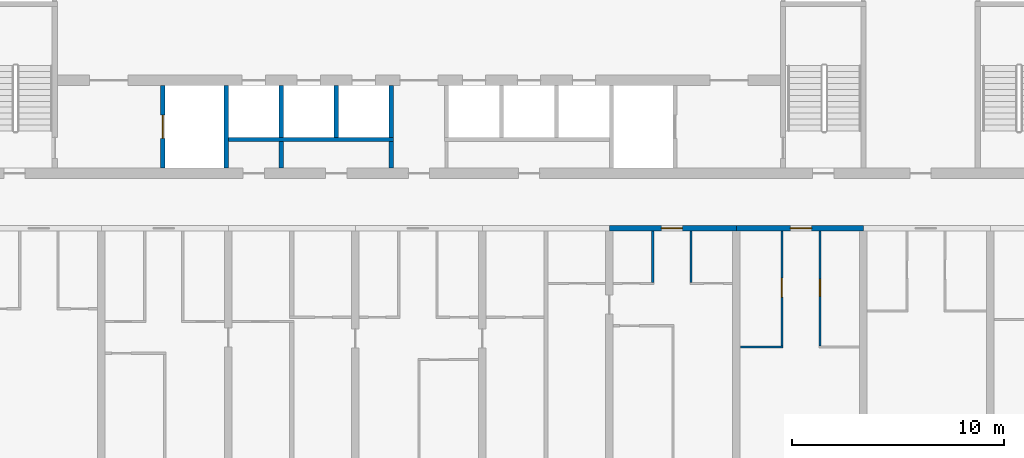
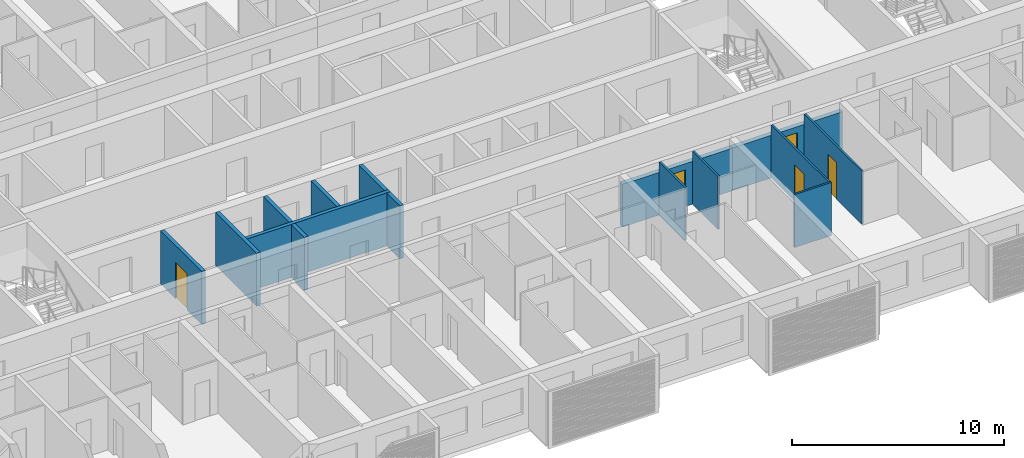
# One storey, part 6 of 30: 15 walls, 5 doors, 5 openings.
"""IFC4 building model written with IfcOpenShell, lengths in metres."""

from ifc_helpers import new_model, si_unit, direction, frame, frame_2d, origin, place, context, subcontext, project, spatial, rectangle, extrude, material, layer, layer_set, type_object, element, fill, save


model = new_model("IFC4")

# Units and contexts
model_context = context("Model", 3, precision=1e-05, world=origin(), true_north=direction((0.0, 1.0)))
body_context = subcontext(model_context, "Body", "Model", "MODEL_VIEW")
ifc_project = project(units=[si_unit("LENGTHUNIT", "METRE"), si_unit("AREAUNIT", "SQUARE_METRE"), si_unit("VOLUMEUNIT", "CUBIC_METRE"), si_unit("PLANEANGLEUNIT", "RADIAN"), si_unit("MASSUNIT", "GRAM", prefix="KILO")], contexts=[model_context])

# Site, building, storey
site_placement = place(None, origin())
site = spatial("IfcSite", under=ifc_project, at=site_placement, CompositionType="ELEMENT")
building_placement = place(site_placement, origin())
building = spatial("IfcBuilding", under=site, at=building_placement, Name="Poui Terraces", CompositionType="ELEMENT")
storey_placement = place(building_placement, frame((0.0, 0.0, 99.300048828125)))
storey = spatial("IfcBuildingStorey", under=building, at=storey_placement, Name="L27", CompositionType="ELEMENT", Elevation=99.300048828125)

# Wall, opening, door
ifc_material_1 = material(Name="Concrete 65 MPa", Category="concrete")
ifc_layer_1 = layer(ifc_material_1, 0.25)
ifc_layer_set_1 = layer_set([ifc_layer_1], Name="Concrete 65 MPa")
wall_type_1 = type_object("IfcWallType", Name="CORRIDOR WALL 250 65MPa", PredefinedType="SHEAR", material=ifc_layer_set_1)
wall_1_placement = place(storey_placement, frame((60.0, 12.0, 0.0), z_axis=(0.0, 0.0, 1.0), x_axis=(1.0, 0.0, 0.0)))
wall_1 = element("IfcWall", 1, at=wall_1_placement, inside=storey, type_object=wall_type_1, Name="CORRIDOR WALL LINE B BAY 10", PredefinedType="SHEAR", context=body_context, shape_type="SweptSolid", body=[
    extrude(rectangle(XDim=6.0, YDim=0.25, at=frame_2d((3.0, 0.0))), origin(), (0.0, 0.0, 1.0), 2.4599609375),
])
opening_1_placement = place(wall_1_placement, frame((2.449951171875, 0.0, 0.0)))
opening_1 = element("IfcOpeningElement", 2, at=opening_1_placement, cuts=wall_1, Name="Opening FD30S", PredefinedType="OPENING", context=body_context, shape_type="SweptSolid", body=[
    extrude(rectangle(XDim=1.0, YDim=2.10009765625, at=frame_2d((0.5, 1.050048828125))), frame((0.0, 0.135009765625, 0.0), z_axis=(0.0, -1.0, 0.0), x_axis=(1.0, 0.0, 0.0)), (0.0, 0.0, 1.0), 0.27001953125),
])
ifc_material_2 = material(Name="Steel fire door", Category="steel")
door_type_1 = type_object("IfcDoorType", Name="FLAT ENTRANCE DOOR 1000 X 2100", OperationType="NOTDEFINED", PredefinedType="DOOR", material=ifc_material_2)
door_1_placement = place(opening_1_placement, frame((1.0, 0.0, 0.0), z_axis=(0.0, 0.0, 1.0), x_axis=(-1.0, 0.0, 0.0)))
door_1 = element("IfcDoor", 3, at=door_1_placement, inside=storey, type_object=door_type_1, Name="FLAT ENTRANCE DOOR 116", OperationType="SINGLE_SWING_RIGHT", OverallHeight=2.10009765625, OverallWidth=1.0, PredefinedType="DOOR", context=body_context, shape_type="SweptSolid", body=[
    extrude(rectangle(XDim=1.0, YDim=2.10009765625, at=frame_2d((0.5, 1.050048828125))), frame((0.0, 0.02490234375, 0.0), z_axis=(0.0, -1.0, 0.0), x_axis=(1.0, 0.0, 0.0)), (0.0, 0.0, 1.0), 0.050048828125),
])
fill(opening_1, door_1)

wall_2_placement = place(storey_placement, frame((66.0, 12.0, 0.0), z_axis=(0.0, 0.0, 1.0), x_axis=(1.0, 0.0, 0.0)))
wall_2 = element("IfcWall", 4, at=wall_2_placement, inside=storey, type_object=wall_type_1, Name="CORRIDOR WALL LINE B BAY 11", PredefinedType="SHEAR", context=body_context, shape_type="SweptSolid", body=[
    extrude(rectangle(XDim=6.0, YDim=0.25, at=frame_2d((3.0, 0.0))), origin(), (0.0, 0.0, 1.0), 2.4599609375),
])
opening_2_placement = place(wall_2_placement, frame((2.550048828125, 0.0, 0.0)))
opening_2 = element("IfcOpeningElement", 5, at=opening_2_placement, cuts=wall_2, Name="Opening FD30S", PredefinedType="OPENING", context=body_context, shape_type="SweptSolid", body=[
    extrude(rectangle(XDim=1.0, YDim=2.10009765625, at=frame_2d((0.5, 1.050048828125))), frame((0.0, 0.135009765625, 0.0), z_axis=(0.0, -1.0, 0.0), x_axis=(1.0, 0.0, 0.0)), (0.0, 0.0, 1.0), 0.27001953125),
])
door_2_placement = place(opening_2_placement, frame((1.0, 0.0, 0.0), z_axis=(0.0, 0.0, 1.0), x_axis=(-1.0, 0.0, 0.0)))
door_2 = element("IfcDoor", 6, at=door_2_placement, inside=storey, type_object=door_type_1, Name="FLAT ENTRANCE DOOR 119", OperationType="SINGLE_SWING_LEFT", OverallHeight=2.10009765625, OverallWidth=1.0, PredefinedType="DOOR", context=body_context, shape_type="SweptSolid", body=[
    extrude(rectangle(XDim=1.0, YDim=2.10009765625, at=frame_2d((0.5, 1.050048828125))), frame((0.0, 0.02490234375, 0.0), z_axis=(0.0, -1.0, 0.0), x_axis=(1.0, 0.0, 0.0)), (0.0, 0.0, 1.0), 0.050048828125),
])
fill(opening_2, door_2)

# Walls
ifc_material_3 = material(Name="Plasterboard partition")
ifc_layer_2 = layer(ifc_material_3, 0.10009765625)
ifc_layer_set_2 = layer_set([ifc_layer_2], Name="Plasterboard partition")
wall_type_2 = type_object("IfcWallType", Name="FLAT PARTITION 100", PredefinedType="PARTITIONING", material=ifc_layer_set_2)
wall_3_placement = place(storey_placement, frame((66.18505859375, 6.39990234375, 0.0), z_axis=(0.0, 0.0, 1.0), x_axis=(1.0, 0.0, 0.0)))
element("IfcWall", 7, at=wall_3_placement, inside=storey, type_object=wall_type_2, Name="FLAT PARTITION 100", PredefinedType="PARTITIONING", context=body_context, shape_type="SweptSolid", body=[
    extrude(rectangle(XDim=2.014892578125, YDim=0.10009765625, at=frame_2d((1.00732421875, 0.0))), origin(), (0.0, 0.0, 1.0), 3.06005859375),
])
for number, where, z_axis, x_axis, name in (
    (8, (62.050048828125, 9.449951171875, 0.0), (0.0, 0.0, 1.0), (0.0, 1.0, 0.0), "FLAT PARTITION 100"),
    (9, (63.85009765625, 9.449951171875, 0.0), (0.0, 0.0, 1.0), (0.0, 1.0, 0.0), "FLAT PARTITION 100"),
):
    element("IfcWall", number, at=place(storey_placement, frame(where, z_axis=z_axis, x_axis=x_axis)), inside=storey, type_object=wall_type_2, Name=name, PredefinedType="PARTITIONING", context=body_context, shape_type="SweptSolid", body=[
        extrude(rectangle(XDim=2.4150390625, YDim=0.10009765625, at=frame_2d((1.20751953125, 0.0))), origin(), (0.0, 0.0, 1.0), 3.06005859375),
    ])

# Wall, opening, door
wall_4_placement = place(storey_placement, frame((68.14990234375, 6.449951171875, 0.0), z_axis=(0.0, 0.0, 1.0), x_axis=(0.0, 1.0, 0.0)))
wall_4 = element("IfcWall", 10, at=wall_4_placement, inside=storey, type_object=wall_type_2, Name="FLAT PARTITION 100", PredefinedType="PARTITIONING", context=body_context, shape_type="SweptSolid", body=[
    extrude(rectangle(XDim=5.4150390625, YDim=0.10009765625, at=frame_2d((2.70751953125, 0.0))), origin(), (0.0, 0.0, 1.0), 3.06005859375),
])
opening_3_placement = place(wall_4_placement, frame((2.300048828125, 0.0, 0.0)))
opening_3 = element("IfcOpeningElement", 11, at=opening_3_placement, cuts=wall_4, Name="Opening D90", PredefinedType="OPENING", context=body_context, shape_type="SweptSolid", body=[
    extrude(rectangle(XDim=0.89990234375, YDim=2.10009765625, at=frame_2d((0.449951171875, 1.050048828125))), frame((0.0, 0.06005859375, 0.0), z_axis=(0.0, -1.0, 0.0), x_axis=(1.0, 0.0, 0.0)), (0.0, 0.0, 1.0), 0.1201171875),
])
ifc_material_4 = material(Name="Solid core timber door", Category="wood")
door_type_2 = type_object("IfcDoorType", Name="INTERNAL DOOR 900 X 2100", OperationType="NOTDEFINED", PredefinedType="DOOR", material=ifc_material_4)
door_3_placement = place(opening_3_placement, origin())
door_3 = element("IfcDoor", 12, at=door_3_placement, inside=storey, type_object=door_type_2, Name="INTERNAL DOOR 118", OperationType="SINGLE_SWING_LEFT", OverallHeight=2.10009765625, OverallWidth=0.89990234375, PredefinedType="DOOR", context=body_context, shape_type="SweptSolid", body=[
    extrude(rectangle(XDim=0.89990234375, YDim=2.10009765625, at=frame_2d((0.449951171875, 1.050048828125))), frame((0.0, 0.02490234375, 0.0), z_axis=(0.0, -1.0, 0.0), x_axis=(1.0, 0.0, 0.0)), (0.0, 0.0, 1.0), 0.050048828125),
])
fill(opening_3, door_3)

wall_5_placement = place(storey_placement, frame((69.949951171875, 6.449951171875, 0.0), z_axis=(0.0, 0.0, 1.0), x_axis=(0.0, 1.0, 0.0)))
wall_5 = element("IfcWall", 13, at=wall_5_placement, inside=storey, type_object=wall_type_2, Name="FLAT PARTITION 100", PredefinedType="PARTITIONING", context=body_context, shape_type="SweptSolid", body=[
    extrude(rectangle(XDim=5.4150390625, YDim=0.10009765625, at=frame_2d((2.70751953125, 0.0))), origin(), (0.0, 0.0, 1.0), 3.06005859375),
])
opening_4_placement = place(wall_5_placement, frame((2.35009765625, 0.0, 0.0)))
opening_4 = element("IfcOpeningElement", 14, at=opening_4_placement, cuts=wall_5, Name="Opening D80", PredefinedType="OPENING", context=body_context, shape_type="SweptSolid", body=[
    extrude(rectangle(XDim=0.800048828125, YDim=2.10009765625, at=frame_2d((0.39990234375, 1.050048828125))), frame((0.0, 0.06005859375, 0.0), z_axis=(0.0, -1.0, 0.0), x_axis=(1.0, 0.0, 0.0)), (0.0, 0.0, 1.0), 0.1201171875),
])
door_type_3 = type_object("IfcDoorType", Name="BATHROOM, LAUNDRY AND STORE DOOR 800 X 2100", OperationType="NOTDEFINED", PredefinedType="DOOR", material=ifc_material_4)
door_4_placement = place(opening_4_placement, frame((0.800048828125, 0.0, 0.0), z_axis=(0.0, 0.0, 1.0), x_axis=(-1.0, 0.0, 0.0)))
door_4 = element("IfcDoor", 15, at=door_4_placement, inside=storey, type_object=door_type_3, Name="BATHROOM, LAUNDRY AND STORE DOOR 120", OperationType="SINGLE_SWING_LEFT", OverallHeight=2.10009765625, OverallWidth=0.800048828125, PredefinedType="DOOR", context=body_context, shape_type="SweptSolid", body=[
    extrude(rectangle(XDim=0.800048828125, YDim=2.10009765625, at=frame_2d((0.39990234375, 1.050048828125))), frame((0.0, 0.02490234375, 0.0), z_axis=(0.0, -1.0, 0.0), x_axis=(1.0, 0.0, 0.0)), (0.0, 0.0, 1.0), 0.050048828125),
])
fill(opening_4, door_4)

# Walls
ifc_material_5 = material(Name="Fire-rated masonry wall", Category="masonry")
ifc_layer_3 = layer(ifc_material_5, 0.199951171875)
ifc_layer_set_3 = layer_set([ifc_layer_3], Name="Fire-rated masonry wall")
wall_type_3 = type_object("IfcWallType", Name="PLANT ROOM WALL 200", PredefinedType="PARTITIONING", material=ifc_layer_set_3)
for number, where, z_axis, x_axis, name in (
    (16, (44.5, 14.860107421875, 0.0), (0.0, 0.0, 1.0), (0.0, 1.0, 0.0), "PLANT ROOM WALL 200"),
    (17, (49.699951171875, 14.860107421875, 0.0), (0.0, 0.0, 1.0), (0.0, 1.0, 0.0), "PLANT ROOM WALL 200"),
):
    element("IfcWall", number, at=place(storey_placement, frame(where, z_axis=z_axis, x_axis=x_axis)), inside=storey, type_object=wall_type_3, Name=name, PredefinedType="PARTITIONING", context=body_context, shape_type="SweptSolid", body=[
        extrude(rectangle(XDim=1.239990234375, YDim=0.199951171875, at=frame_2d((0.6201171875, 0.0))), origin(), (0.0, 0.0, 1.0), 3.06005859375),
    ])
ifc_material_6 = material(Name="Fire-rated masonry shaft wall", Category="masonry")
ifc_layer_4 = layer(ifc_material_6, 0.199951171875)
ifc_layer_set_4 = layer_set([ifc_layer_4], Name="Fire-rated masonry shaft wall")
wall_type_4 = type_object("IfcWallType", Name="SHAFT WALL 200", PredefinedType="PARTITIONING", material=ifc_layer_set_4)
wall_6_placement = place(storey_placement, frame((42.0, 16.199951171875, 0.0), z_axis=(0.0, 0.0, 1.0), x_axis=(1.0, 0.0, 0.0)))
element("IfcWall", 18, at=wall_6_placement, inside=storey, type_object=wall_type_4, Name="SHAFT WALL 200", PredefinedType="PARTITIONING", context=body_context, shape_type="SweptSolid", body=[
    extrude(rectangle(XDim=7.800048828125, YDim=0.199951171875, at=frame_2d((3.89990234375, 0.0))), origin(), (0.0, 0.0, 1.0), 3.06005859375),
])

# Wall, opening, door
wall_7_placement = place(storey_placement, frame((38.89990234375, 14.860107421875, 0.0), z_axis=(0.0, 0.0, 1.0), x_axis=(0.0, 1.0, 0.0)))
wall_7 = element("IfcWall", 19, at=wall_7_placement, inside=storey, type_object=wall_type_4, Name="SHAFT WALL 200", PredefinedType="PARTITIONING", context=body_context, shape_type="SweptSolid", body=[
    extrude(rectangle(XDim=3.8798828125, YDim=0.199951171875, at=frame_2d((1.93994140625, 0.0))), origin(), (0.0, 0.0, 1.0), 3.06005859375),
])
opening_5_placement = place(wall_7_placement, frame((1.389892578125, 0.0, 0.0)))
opening_5 = element("IfcOpeningElement", 20, at=opening_5_placement, cuts=wall_7, Name="Opening LD", PredefinedType="OPENING", context=body_context, shape_type="SweptSolid", body=[
    extrude(rectangle(XDim=1.10009765625, YDim=2.10009765625, at=frame_2d((0.550048828125, 1.050048828125))), frame((0.0, 0.10986328125, 0.0), z_axis=(0.0, -1.0, 0.0), x_axis=(1.0, 0.0, 0.0)), (0.0, 0.0, 1.0), 0.219970703125),
])
ifc_material_7 = material(Name="Stainless steel sliding door", Category="steel")
door_type_4 = type_object("IfcDoorType", Name="LIFT LANDING DOOR 1100 X 2100", OperationType="DOUBLE_DOOR_SLIDING", PredefinedType="DOOR", material=ifc_material_7)
door_5_placement = place(opening_5_placement, origin())
door_5 = element("IfcDoor", 21, at=door_5_placement, inside=storey, type_object=door_type_4, Name="LANDING DOOR", OperationType="DOUBLE_DOOR_SLIDING", OverallHeight=2.10009765625, OverallWidth=1.10009765625, PredefinedType="DOOR", context=body_context, shape_type="SweptSolid", body=[
    extrude(rectangle(XDim=1.10009765625, YDim=2.10009765625, at=frame_2d((0.550048828125, 1.050048828125))), frame((0.0, 0.02490234375, 0.0), z_axis=(0.0, -1.0, 0.0), x_axis=(1.0, 0.0, 0.0)), (0.0, 0.0, 1.0), 0.050048828125),
])
fill(opening_5, door_5)

# Walls
wall_8_placement = place(storey_placement, frame((41.89990234375, 14.860107421875, 0.0), z_axis=(0.0, 0.0, 1.0), x_axis=(0.0, 1.0, 0.0)))
element("IfcWall", 22, at=wall_8_placement, inside=storey, type_object=wall_type_4, Name="SHAFT WALL 200", PredefinedType="PARTITIONING", context=body_context, shape_type="SweptSolid", body=[
    extrude(rectangle(XDim=3.8798828125, YDim=0.199951171875, at=frame_2d((1.93994140625, 0.0))), origin(), (0.0, 0.0, 1.0), 3.06005859375),
])
for number, where, z_axis, x_axis, name in (
    (23, (44.5, 16.300048828125, 0.0), (0.0, 0.0, 1.0), (0.0, 1.0, 0.0), "SHAFT WALL 200"),
    (24, (47.10009765625, 16.300048828125, 0.0), (0.0, 0.0, 1.0), (0.0, 1.0, 0.0), "SHAFT WALL 200"),
    (25, (49.699951171875, 16.300048828125, 0.0), (0.0, 0.0, 1.0), (0.0, 1.0, 0.0), "SHAFT WALL 200"),
):
    element("IfcWall", number, at=place(storey_placement, frame(where, z_axis=z_axis, x_axis=x_axis)), inside=storey, type_object=wall_type_4, Name=name, PredefinedType="PARTITIONING", context=body_context, shape_type="SweptSolid", body=[
        extrude(rectangle(XDim=2.43994140625, YDim=0.199951171875, at=frame_2d((1.219970703125, 0.0))), origin(), (0.0, 0.0, 1.0), 3.06005859375),
    ])

save(model, "model.ifc")
